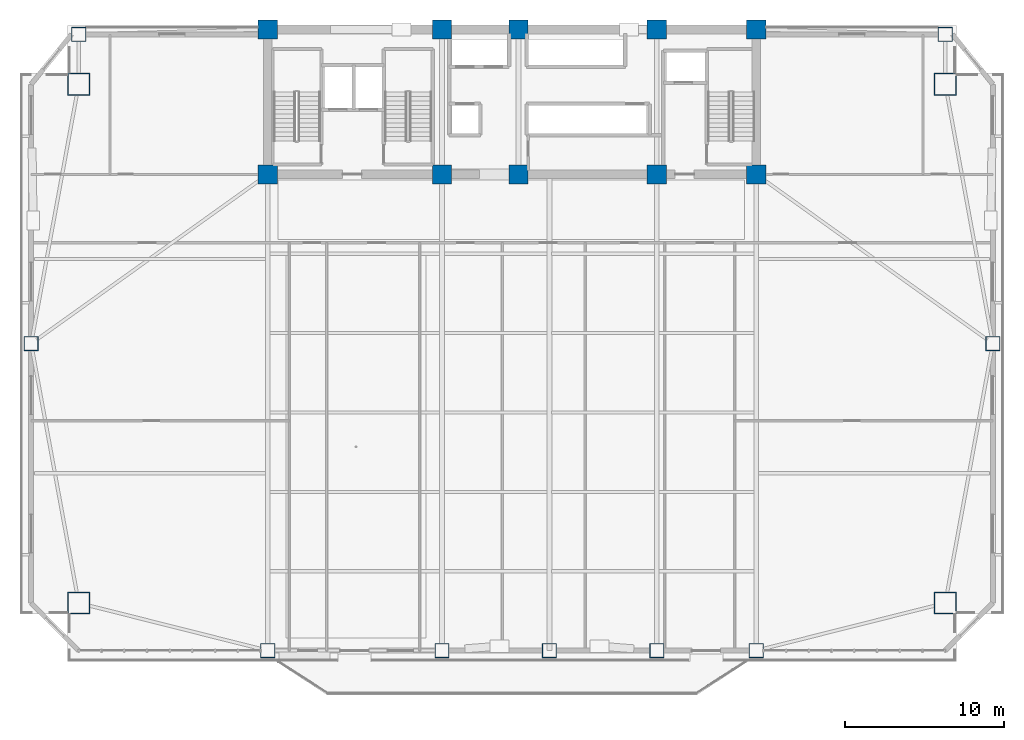
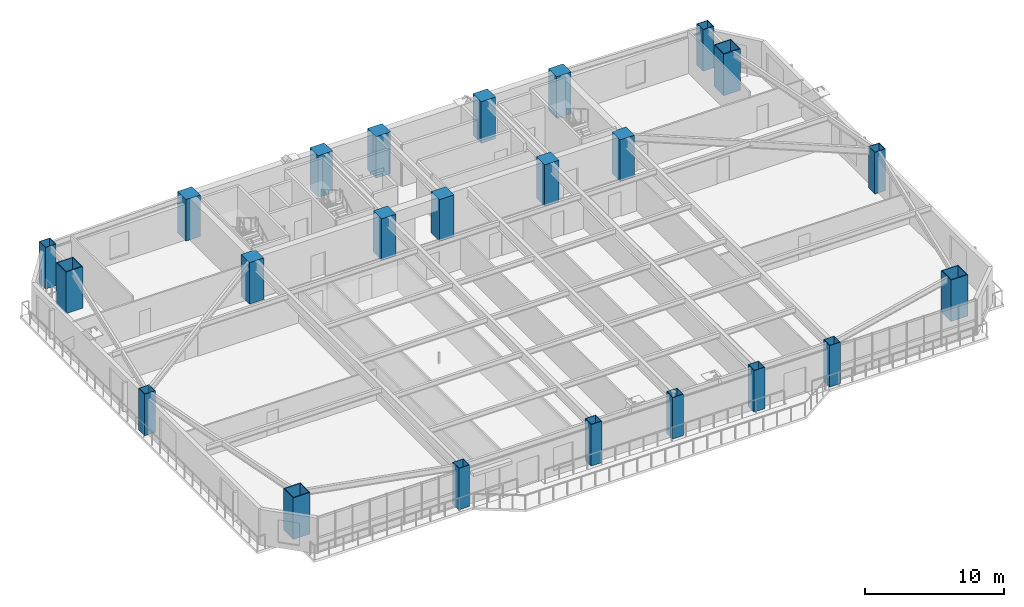
# One storey, part 1 of 15: 23 columns.
"""IFC4 building model written with IfcOpenShell, lengths in metres."""

from ifc_helpers import new_model, si_unit, direction, frame, origin, origin_2d, place, context, subcontext, project, spatial, rectangle, hollow_rectangle, extrude, source, transform, mapped, material, material_profile, profile_set, type_object, element, save


model = new_model("IFC4")

# Units and contexts
model_context = context("Model", 3, precision=1e-05, world=origin(), true_north=direction((0.0, 1.0)))
body_context = subcontext(model_context, "Body", "Model", "MODEL_VIEW")
ifc_project = project(units=[si_unit("LENGTHUNIT", "METRE"), si_unit("AREAUNIT", "SQUARE_METRE"), si_unit("VOLUMEUNIT", "CUBIC_METRE"), si_unit("PLANEANGLEUNIT", "RADIAN"), si_unit("MASSUNIT", "GRAM", prefix="KILO")], contexts=[model_context])

# Site, building, storey
site_placement = place(None, origin())
site = spatial("IfcSite", under=ifc_project, at=site_placement, CompositionType="ELEMENT")
building_placement = place(site_placement, origin())
building = spatial("IfcBuilding", under=site, at=building_placement, Name="Giltprow Tower", CompositionType="ELEMENT")
storey_placement = place(building_placement, frame((0.0, 0.0, 127.0)))
storey = spatial("IfcBuildingStorey", under=building, at=storey_placement, Name="L31", CompositionType="ELEMENT", Elevation=127.0)

# Columns
ifc_material_1 = material(Name="Concrete C60", Category="concrete")
ifc_material_profile_1 = material_profile(ifc_material_1, rectangle(XDim=1.199951171875, YDim=1.199951171875, at=origin_2d()), Name="RC 1200x1200")
ifc_profile_set_1 = profile_set([ifc_material_profile_1], Name="Concrete C60")
column_type_1 = type_object("IfcColumnType", Name="PIL-RC-1200-C60", PredefinedType="PILASTER", material=ifc_profile_set_1)
shared_shape_1 = source(origin(), body_context, "Body", "SweptSolid", [
    extrude(rectangle(XDim=1.199951171875, YDim=1.199951171875, at=origin_2d()), origin(), (0.0, 0.0, 1.0), 3.639892578125),
])
for number, where, z_axis, x_axis, name in (
    (1, (19.85009765625, 37.449951171875, 0.0), (0.0, 0.0, 1.0), (1.0, 0.0, 0.0), "L31 Core Boundary Pilaster 1-1"),
    (2, (19.85009765625, 46.550048828125, 0.0), (0.0, 0.0, 1.0), (1.0, 0.0, 0.0), "L31 Core Boundary Pilaster 1-2"),
    (3, (30.800048828125, 37.449951171875, 0.0), (0.0, 0.0, 1.0), (1.0, 0.0, 0.0), "L31 Core Boundary Pilaster 2-1"),
    (4, (30.800048828125, 46.550048828125, 0.0), (0.0, 0.0, 1.0), (1.0, 0.0, 0.0), "L31 Core Boundary Pilaster 2-2"),
    (5, (35.60009765625, 37.449951171875, 0.0), (0.0, 0.0, 1.0), (1.0, 0.0, 0.0), "L31 Core Boundary Pilaster 3-1"),
    (6, (35.60009765625, 46.550048828125, 0.0), (0.0, 0.0, 1.0), (1.0, 0.0, 0.0), "L31 Core Boundary Pilaster 3-2"),
    (7, (44.300048828125, 37.449951171875, 0.0), (0.0, 0.0, 1.0), (1.0, 0.0, 0.0), "L31 Core Boundary Pilaster 4-1"),
    (8, (44.300048828125, 46.550048828125, 0.0), (0.0, 0.0, 1.0), (1.0, 0.0, 0.0), "L31 Core Boundary Pilaster 4-2"),
    (9, (50.550048828125, 37.449951171875, 0.0), (0.0, 0.0, 1.0), (1.0, 0.0, 0.0), "L31 Core Boundary Pilaster 5-1"),
    (10, (50.550048828125, 46.550048828125, 0.0), (0.0, 0.0, 1.0), (1.0, 0.0, 0.0), "L31 Core Boundary Pilaster 5-2"),
):
    element("IfcColumn", number, at=place(storey_placement, frame(where, z_axis=z_axis, x_axis=x_axis)), inside=storey, type_object=column_type_1, Name=name, PredefinedType="PILASTER", context=body_context, shape_type="MappedRepresentation", body=[
        mapped(shared_shape_1, transform((0.0, 0.0, 0.0), x_axis=(1.0, 0.0, 0.0), y_axis=(0.0, 1.0, 0.0), z_axis=(0.0, 0.0, 1.0), scale=1.0)),
    ])
ifc_material_2 = material(Name="Structural steel Q420GJC", Category="steel")
ifc_material_profile_2 = material_profile(ifc_material_2, hollow_rectangle(XDim=1.39990234375, YDim=1.39990234375, WallThickness=0.06494140625, at=origin_2d()), Name="BOX 1400x1400x65")
ifc_profile_set_2 = profile_set([ifc_material_profile_2], Name="Structural steel Q420GJC")
column_type_2 = type_object("IfcColumnType", Name="COL-BOX-1400x1400x65", PredefinedType="COLUMN", material=ifc_profile_set_2)
shared_shape_2 = source(origin(), body_context, "Body", "SweptSolid", [
    extrude(hollow_rectangle(XDim=1.39990234375, YDim=1.39990234375, WallThickness=0.06494140625, at=origin_2d()), origin(), (0.0, 0.0, 1.0), 3.639892578125),
])
for number, where, z_axis, x_axis, name in (
    (11, (7.969970703125, 10.509033203125, 0.0), (0.0, 0.0, 1.0), (1.0, 0.0, 0.0), "L31 Mega-Column MC_SW"),
    (12, (62.429931640625, 10.509033203125, 0.0), (0.0, 0.0, 1.0), (1.0, 0.0, 0.0), "L31 Mega-Column MC_SE"),
    (13, (7.969970703125, 43.10888671875, 0.0), (0.0, 0.0, 1.0), (1.0, 0.0, 0.0), "L31 Mega-Column MC_NW"),
    (14, (62.429931640625, 43.10888671875, 0.0), (0.0, 0.0, 1.0), (1.0, 0.0, 0.0), "L31 Mega-Column MC_NE"),
):
    element("IfcColumn", number, at=place(storey_placement, frame(where, z_axis=z_axis, x_axis=x_axis)), inside=storey, type_object=column_type_2, Name=name, PredefinedType="COLUMN", context=body_context, shape_type="MappedRepresentation", body=[
        mapped(shared_shape_2, transform((0.0, 0.0, 0.0), x_axis=(1.0, 0.0, 0.0), y_axis=(0.0, 1.0, 0.0), z_axis=(0.0, 0.0, 1.0), scale=1.0)),
    ])
ifc_material_profile_3 = material_profile(ifc_material_2, hollow_rectangle(XDim=0.89990234375, YDim=0.89990234375, WallThickness=0.0400390625, at=origin_2d()), Name="BOX 900x900x40")
ifc_profile_set_3 = profile_set([ifc_material_profile_3], Name="Structural steel Q420GJC")
column_type_3 = type_object("IfcColumnType", Name="COL-BOX-900x900x40", PredefinedType="COLUMN", material=ifc_profile_set_3)
shared_shape_3 = source(origin(), body_context, "Body", "SweptSolid", [
    extrude(hollow_rectangle(XDim=0.89990234375, YDim=0.89990234375, WallThickness=0.0400390625, at=origin_2d()), origin(), (0.0, 0.0, 1.0), 3.639892578125),
])
for number, where, z_axis, x_axis, name in (
    (15, (19.85009765625, 7.51806640625, 0.0), (0.0, 0.0, 1.0), (1.0, 0.0, 0.0), "L31 Perimeter Column S1"),
    (16, (30.800048828125, 7.51806640625, 0.0), (0.0, 0.0, 1.0), (1.0, 0.0, 0.0), "L31 Perimeter Column S2"),
    (17, (37.550048828125, 7.51806640625, 0.0), (0.0, 0.0, 1.0), (1.0, 0.0, 0.0), "L31 Perimeter Column S_MID"),
    (18, (44.300048828125, 7.51806640625, 0.0), (0.0, 0.0, 1.0), (1.0, 0.0, 0.0), "L31 Perimeter Column S3"),
    (19, (50.550048828125, 7.51806640625, 0.0), (0.0, 0.0, 1.0), (1.0, 0.0, 0.0), "L31 Perimeter Column S4"),
    (20, (4.97900390625, 26.80908203125, 0.0), (0.0, 0.0, 1.0), (1.0, 0.0, 0.0), "L31 Perimeter Column W_MID"),
    (21, (65.4208984375, 26.80908203125, 0.0), (0.0, 0.0, 1.0), (1.0, 0.0, 0.0), "L31 Perimeter Column E_MID"),
    (22, (7.969970703125, 46.25, 0.0), (0.0, 0.0, 1.0), (1.0, 0.0, 0.0), "L31 Perimeter Column N_W"),
    (23, (62.429931640625, 46.25, 0.0), (0.0, 0.0, 1.0), (1.0, 0.0, 0.0), "L31 Perimeter Column N_E"),
):
    element("IfcColumn", number, at=place(storey_placement, frame(where, z_axis=z_axis, x_axis=x_axis)), inside=storey, type_object=column_type_3, Name=name, PredefinedType="COLUMN", context=body_context, shape_type="MappedRepresentation", body=[
        mapped(shared_shape_3, transform((0.0, 0.0, 0.0), x_axis=(1.0, 0.0, 0.0), y_axis=(0.0, 1.0, 0.0), z_axis=(0.0, 0.0, 1.0), scale=1.0)),
    ])

save(model, "model.ifc")
